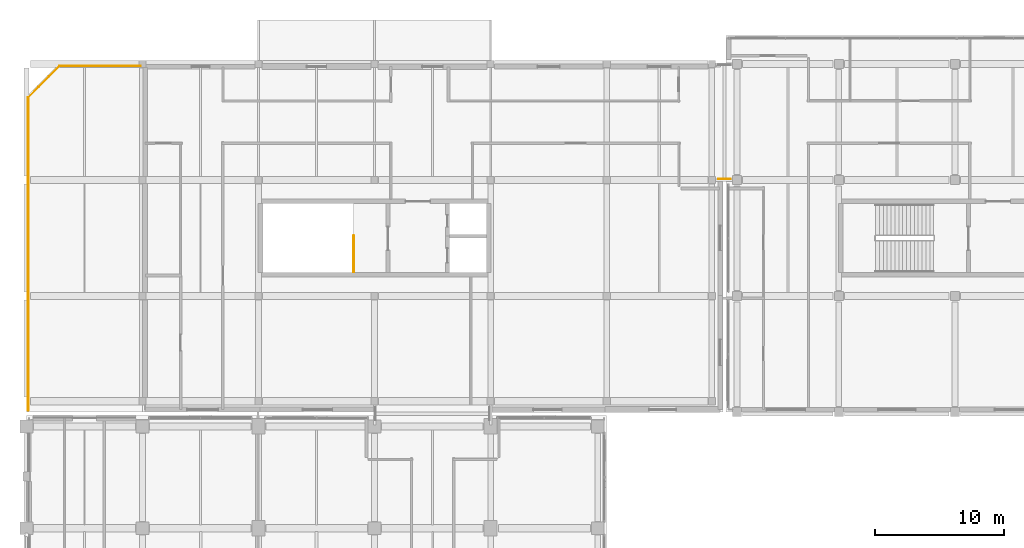
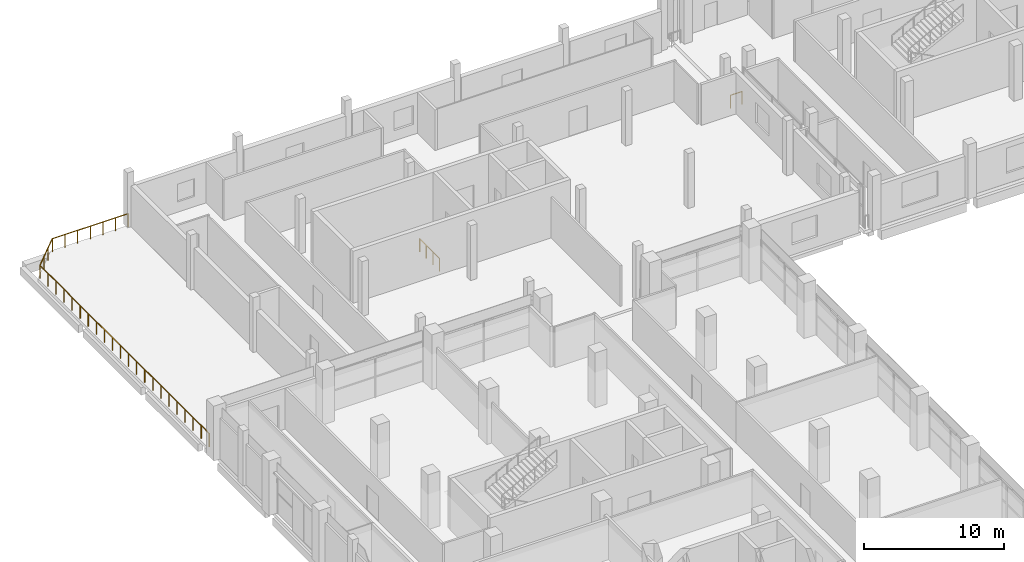
# One storey, part 108 of 111: 5 railings.
"""IFC4 building model written with IfcOpenShell, lengths in metres."""

from ifc_helpers import new_model, si_unit, direction, frame, origin, origin_2d, place, context, subcontext, project, spatial, circle, extrude, material, type_object, element, save


model = new_model("IFC4")

# Units and contexts
model_context = context("Model", 3, precision=1e-05, world=origin(), true_north=direction((0.0, 1.0)))
body_context = subcontext(model_context, "Body", "Model", "MODEL_VIEW")
ifc_project = project(units=[si_unit("LENGTHUNIT", "METRE"), si_unit("AREAUNIT", "SQUARE_METRE"), si_unit("VOLUMEUNIT", "CUBIC_METRE"), si_unit("PLANEANGLEUNIT", "RADIAN"), si_unit("MASSUNIT", "GRAM", prefix="KILO"), si_unit("THERMODYNAMICTEMPERATUREUNIT", "KELVIN"), si_unit("POWERUNIT", "WATT")], contexts=[model_context])

# Site, building, storey
site_placement = place(None, origin())
site = spatial("IfcSite", under=ifc_project, at=site_placement, CompositionType="ELEMENT")
building_placement = place(site_placement, origin())
building = spatial("IfcBuilding", under=site, at=building_placement, Name="Sindhuravela Promenade Stadium", CompositionType="ELEMENT")
storey_placement = place(building_placement, frame((0.0, 0.0, 9.60009765625)))
storey = spatial("IfcBuildingStorey", under=building, at=storey_placement, Name="L02", CompositionType="ELEMENT", Elevation=9.60009765625)

# Railings
ifc_material = material(Name="Architectural wrought steel E350", Category="steel")
railing_type_1 = type_object("IfcRailingType", Name="RL-BAL-1150", PredefinedType="BALUSTRADE", material=ifc_material)
railing_1_placement = place(storey_placement, frame((0.139892578125, 126.139892578125, 0.0)))
element("IfcRailing", 1, at=railing_1_placement, inside=storey, type_object=railing_type_1, Name="Terrace wrought balustrade BL01-7", PredefinedType="BALUSTRADE", context=body_context, shape_type="SweptSolid", body=[
    extrude(circle(Radius=0.02392578125, at=origin_2d()), frame((0.0, 0.0, 1.1259765625), z_axis=(0.0, 1.0, 0.0), x_axis=(-1.0, 0.0, 0.0)), (0.0, 0.0, 1.0), 24.2822265625),
    extrude(circle(Radius=0.02099609375, at=origin_2d()), origin(), (0.0, 0.0, 1.0), 1.101806640625),
    extrude(circle(Radius=0.02099609375, at=origin_2d()), frame((0.0, 1.15625, 0.0)), (0.0, 0.0, 1.0), 1.101806640625),
    extrude(circle(Radius=0.02099609375, at=origin_2d()), frame((0.0, 2.3125, 0.0)), (0.0, 0.0, 1.0), 1.101806640625),
    extrude(circle(Radius=0.02099609375, at=origin_2d()), frame((0.0, 3.468994140625, 0.0)), (0.0, 0.0, 1.0), 1.101806640625),
    extrude(circle(Radius=0.02099609375, at=origin_2d()), frame((0.0, 4.625244140625, 0.0)), (0.0, 0.0, 1.0), 1.101806640625),
    extrude(circle(Radius=0.02099609375, at=origin_2d()), frame((0.0, 5.781494140625, 0.0)), (0.0, 0.0, 1.0), 1.101806640625),
    extrude(circle(Radius=0.02099609375, at=origin_2d()), frame((0.0, 6.937744140625, 0.0)), (0.0, 0.0, 1.0), 1.101806640625),
    extrude(circle(Radius=0.02099609375, at=origin_2d()), frame((0.0, 8.093994140625, 0.0)), (0.0, 0.0, 1.0), 1.101806640625),
    extrude(circle(Radius=0.02099609375, at=origin_2d()), frame((0.0, 9.25048828125, 0.0)), (0.0, 0.0, 1.0), 1.101806640625),
    extrude(circle(Radius=0.02099609375, at=origin_2d()), frame((0.0, 10.40673828125, 0.0)), (0.0, 0.0, 1.0), 1.101806640625),
    extrude(circle(Radius=0.02099609375, at=origin_2d()), frame((0.0, 11.56298828125, 0.0)), (0.0, 0.0, 1.0), 1.101806640625),
    extrude(circle(Radius=0.02099609375, at=origin_2d()), frame((0.0, 12.71923828125, 0.0)), (0.0, 0.0, 1.0), 1.101806640625),
    extrude(circle(Radius=0.02099609375, at=origin_2d()), frame((0.0, 13.87548828125, 0.0)), (0.0, 0.0, 1.0), 1.101806640625),
    extrude(circle(Radius=0.02099609375, at=origin_2d()), frame((0.0, 15.03173828125, 0.0)), (0.0, 0.0, 1.0), 1.101806640625),
    extrude(circle(Radius=0.02099609375, at=origin_2d()), frame((0.0, 16.188232421875, 0.0)), (0.0, 0.0, 1.0), 1.101806640625),
    extrude(circle(Radius=0.02099609375, at=origin_2d()), frame((0.0, 17.344482421875, 0.0)), (0.0, 0.0, 1.0), 1.101806640625),
    extrude(circle(Radius=0.02099609375, at=origin_2d()), frame((0.0, 18.500732421875, 0.0)), (0.0, 0.0, 1.0), 1.101806640625),
    extrude(circle(Radius=0.02099609375, at=origin_2d()), frame((0.0, 19.656982421875, 0.0)), (0.0, 0.0, 1.0), 1.101806640625),
    extrude(circle(Radius=0.02099609375, at=origin_2d()), frame((0.0, 20.813232421875, 0.0)), (0.0, 0.0, 1.0), 1.101806640625),
    extrude(circle(Radius=0.02099609375, at=origin_2d()), frame((0.0, 21.9697265625, 0.0)), (0.0, 0.0, 1.0), 1.101806640625),
    extrude(circle(Radius=0.02099609375, at=origin_2d()), frame((0.0, 23.1259765625, 0.0)), (0.0, 0.0, 1.0), 1.101806640625),
    extrude(circle(Radius=0.02099609375, at=origin_2d()), frame((0.0, 24.2822265625, 0.0)), (0.0, 0.0, 1.0), 1.101806640625),
])
railing_2_placement = place(storey_placement, frame((0.139892578125, 150.422119140625, 0.0)))
element("IfcRailing", 2, at=railing_2_placement, inside=storey, type_object=railing_type_1, Name="Terrace wrought balustrade BL01-8", PredefinedType="BALUSTRADE", context=body_context, shape_type="SweptSolid", body=[
    extrude(circle(Radius=0.02392578125, at=origin_2d()), frame((0.0, 0.0, 1.1259765625), z_axis=(0.7071067811865476, 0.7071067811865476, 0.0), x_axis=(-0.7071067811865476, 0.7071067811865476, 0.0)), (0.0, 0.0, 1.0), 3.44775390625),
    extrude(circle(Radius=0.02099609375, at=origin_2d()), origin(), (0.0, 0.0, 1.0), 1.101806640625),
    extrude(circle(Radius=0.02099609375, at=origin_2d()), frame((0.812744140625, 0.812744140625, 0.0)), (0.0, 0.0, 1.0), 1.101806640625),
    extrude(circle(Radius=0.02099609375, at=origin_2d()), frame((1.625244140625, 1.625244140625, 0.0)), (0.0, 0.0, 1.0), 1.101806640625),
    extrude(circle(Radius=0.02099609375, at=origin_2d()), frame((2.43798828125, 2.43798828125, 0.0)), (0.0, 0.0, 1.0), 1.101806640625),
])
railing_3_placement = place(storey_placement, frame((2.577880859375, 152.860107421875, 0.0)))
element("IfcRailing", 3, at=railing_3_placement, inside=storey, type_object=railing_type_1, Name="Terrace wrought balustrade BL01-9", PredefinedType="BALUSTRADE", context=body_context, shape_type="SweptSolid", body=[
    extrude(circle(Radius=0.02392578125, at=origin_2d()), frame((0.0, 0.0, 1.1259765625), z_axis=(1.0, 0.0, 0.0), x_axis=(0.0, 1.0, 0.0)), (0.0, 0.0, 1.0), 6.2822265625),
    extrude(circle(Radius=0.02099609375, at=origin_2d()), origin(), (0.0, 0.0, 1.0), 1.101806640625),
    extrude(circle(Radius=0.02099609375, at=origin_2d()), frame((1.047119140625, 0.0, 0.0)), (0.0, 0.0, 1.0), 1.101806640625),
    extrude(circle(Radius=0.02099609375, at=origin_2d()), frame((2.093994140625, 0.0, 0.0)), (0.0, 0.0, 1.0), 1.101806640625),
    extrude(circle(Radius=0.02099609375, at=origin_2d()), frame((3.14111328125, 0.0, 0.0)), (0.0, 0.0, 1.0), 1.101806640625),
    extrude(circle(Radius=0.02099609375, at=origin_2d()), frame((4.188232421875, 0.0, 0.0)), (0.0, 0.0, 1.0), 1.101806640625),
    extrude(circle(Radius=0.02099609375, at=origin_2d()), frame((5.235107421875, 0.0, 0.0)), (0.0, 0.0, 1.0), 1.101806640625),
    extrude(circle(Radius=0.02099609375, at=origin_2d()), frame((6.2822265625, 0.0, 0.0)), (0.0, 0.0, 1.0), 1.101806640625),
])
railing_type_2 = type_object("IfcRailingType", Name="RL-GRD-1150", PredefinedType="GUARDRAIL", material=ifc_material)
railing_4_placement = place(storey_placement, frame((53.64990234375, 144.080078125, 0.0)))
element("IfcRailing", 4, at=railing_4_placement, inside=storey, type_object=railing_type_2, Name="Bridge edge guardrail GR01-85", PredefinedType="GUARDRAIL", context=body_context, shape_type="SweptSolid", body=[
    extrude(circle(Radius=0.02392578125, at=origin_2d()), frame((0.0, 0.0, 1.1259765625), z_axis=(1.0, 0.0, 0.0), x_axis=(0.0, 1.0, 0.0)), (0.0, 0.0, 1.0), 0.9501953125),
    extrude(circle(Radius=0.02099609375, at=origin_2d()), origin(), (0.0, 0.0, 1.0), 1.101806640625),
    extrude(circle(Radius=0.02099609375, at=origin_2d()), frame((0.9501953125, 0.0, 0.0)), (0.0, 0.0, 1.0), 1.101806640625),
])
railing_5_placement = place(storey_placement, frame((25.3798828125, 136.860107421875, 0.0)))
element("IfcRailing", 5, at=railing_5_placement, inside=storey, type_object=railing_type_2, Name="Stair GS03 top landing well guard (L02)", PredefinedType="GUARDRAIL", context=body_context, shape_type="SweptSolid", body=[
    extrude(circle(Radius=0.02392578125, at=origin_2d()), frame((0.0, 0.0, 1.1259765625), z_axis=(0.0, 1.0, 0.0), x_axis=(-1.0, 0.0, 0.0)), (0.0, 0.0, 1.0), 2.829833984375),
    extrude(circle(Radius=0.02099609375, at=origin_2d()), origin(), (0.0, 0.0, 1.0), 1.101806640625),
    extrude(circle(Radius=0.02099609375, at=origin_2d()), frame((0.0, 0.943359375, 0.0)), (0.0, 0.0, 1.0), 1.101806640625),
    extrude(circle(Radius=0.02099609375, at=origin_2d()), frame((0.0, 1.886474609375, 0.0)), (0.0, 0.0, 1.0), 1.101806640625),
    extrude(circle(Radius=0.02099609375, at=origin_2d()), frame((0.0, 2.829833984375, 0.0)), (0.0, 0.0, 1.0), 1.101806640625),
])

save(model, "model.ifc")
